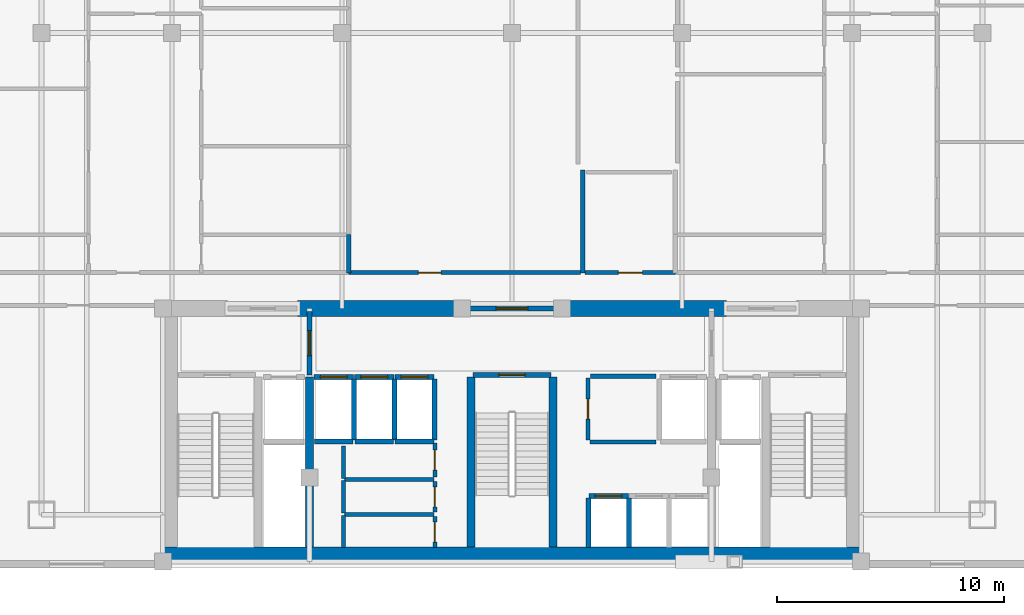
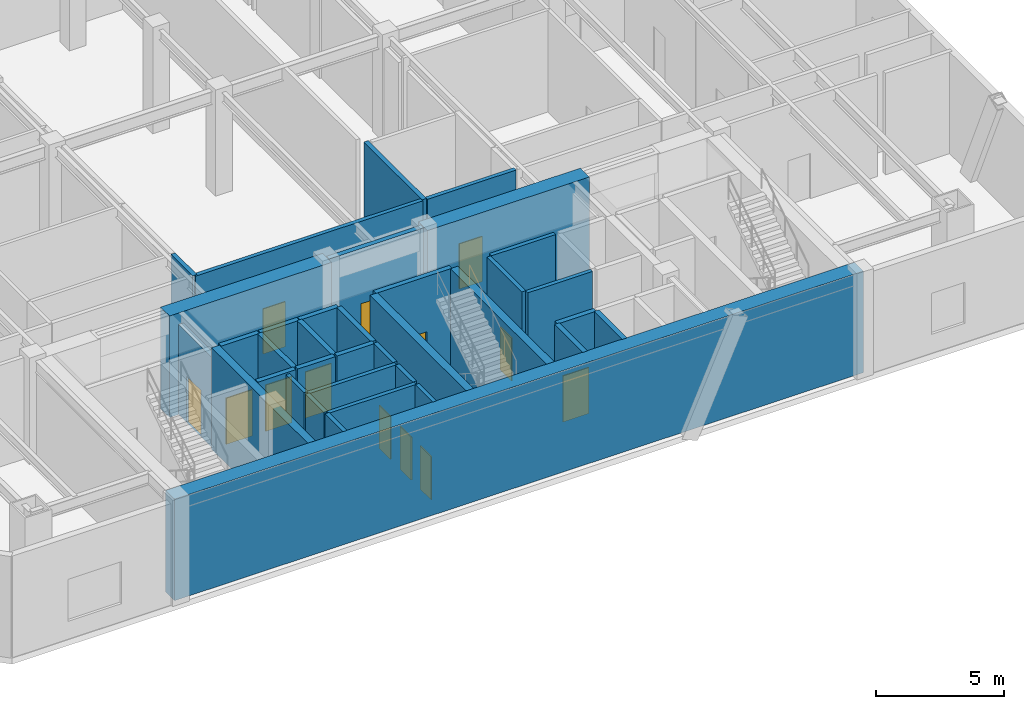
# One storey, part 6 of 11: 36 walls, 13 doors, 13 openings.
"""IFC4 building model written with IfcOpenShell, lengths in metres."""

from ifc_helpers import new_model, si_unit, direction, frame, frame_2d, origin, place, context, subcontext, project, spatial, rectangle, extrude, material, layer, layer_set, type_object, element, fill, save


model = new_model("IFC4")

# Units and contexts
model_context = context("Model", 3, precision=1e-05, world=origin(), true_north=direction((0.0, 1.0)))
body_context = subcontext(model_context, "Body", "Model", "MODEL_VIEW")
ifc_project = project(units=[si_unit("LENGTHUNIT", "METRE"), si_unit("AREAUNIT", "SQUARE_METRE"), si_unit("VOLUMEUNIT", "CUBIC_METRE"), si_unit("PLANEANGLEUNIT", "RADIAN"), si_unit("MASSUNIT", "GRAM", prefix="KILO")], contexts=[model_context])

# Site, building, storey
site_placement = place(None, origin())
site = spatial("IfcSite", under=ifc_project, at=site_placement, CompositionType="ELEMENT")
building_placement = place(site_placement, origin())
building = spatial("IfcBuilding", under=site, at=building_placement, Name="Ventersveld Concourse Tower", CompositionType="ELEMENT")
storey_placement = place(building_placement, frame((0.0, 0.0, 140.14990234375)))
storey = spatial("IfcBuildingStorey", under=building, at=storey_placement, Name="L34", CompositionType="ELEMENT", Elevation=140.14990234375)

# Walls
ifc_material_1 = material(Name="Concrete C60/75", Category="concrete")
ifc_layer_1 = layer(ifc_material_1, 0.35009765625)
ifc_layer_set_1 = layer_set([ifc_layer_1], Name="Concrete C60/75")
wall_type_1 = type_object("IfcWallType", Name="WL-CORE-350L", PredefinedType="SHEAR", material=ifc_layer_set_1)
for number, where, z_axis, x_axis, name in (
    (1, (19.820068359375, 0.919921875, 0.0), (0.0, 0.0, 1.0), (0.0, 1.0, 0.0), "L34 Core Internal Shear Web W-FF1-E"),
    (2, (26.93994140625, 0.919921875, 0.0), (0.0, 0.0, 1.0), (0.0, 1.0, 0.0), "L34 Core Internal Shear Web W-ST3-W"),
    (3, (30.56005859375, 0.919921875, 0.0), (0.0, 0.0, 1.0), (0.0, 1.0, 0.0), "L34 Core Internal Shear Web W-ST3-E"),
):
    element("IfcWall", number, at=place(storey_placement, frame(where, z_axis=z_axis, x_axis=x_axis)), inside=storey, type_object=wall_type_1, Name=name, PredefinedType="SHEAR", context=body_context, shape_type="SweptSolid", body=[
        extrude(rectangle(XDim=7.5, YDim=0.35009765625, at=frame_2d((3.75, 0.0))), origin(), (0.0, 0.0, 1.0), 4.830078125),
    ])
ifc_layer_2 = layer(ifc_material_1, 0.699951171875)
ifc_layer_set_2 = layer_set([ifc_layer_2], Name="Concrete C60/75")
wall_type_2 = type_object("IfcWallType", Name="WL-CORE-700", PredefinedType="SHEAR", material=ifc_layer_set_2)
wall_1_placement = place(storey_placement, frame((13.25, 0.570068359375, 0.0), z_axis=(0.0, 0.0, 1.0), x_axis=(1.0, 0.0, 0.0)))
element("IfcWall", 4, at=wall_1_placement, inside=storey, type_object=wall_type_2, Name="L34 Rear Core South Shear Wall", PredefinedType="SHEAR", context=body_context, shape_type="SweptSolid", body=[
    extrude(rectangle(XDim=31.0, YDim=0.699951171875, at=frame_2d((15.5, 0.0))), origin(), (0.0, 0.0, 1.0), 4.830078125),
])
for number, where, z_axis, x_axis, name in (
    (5, (19.300048828125, 11.449951171875, 0.0), (0.0, 0.0, 1.0), (1.0, 0.0, 0.0), "L34 Rear Core North Shear Wall NML"),
    (6, (30.89990234375, 11.449951171875, 0.0), (0.0, 0.0, 1.0), (1.0, 0.0, 0.0), "L34 Rear Core North Shear Wall NMR"),
):
    element("IfcWall", number, at=place(storey_placement, frame(where, z_axis=z_axis, x_axis=x_axis)), inside=storey, type_object=wall_type_2, Name=name, PredefinedType="SHEAR", context=body_context, shape_type="SweptSolid", body=[
        extrude(rectangle(XDim=7.300048828125, YDim=0.699951171875, at=frame_2d((3.64990234375, 0.0))), origin(), (0.0, 0.0, 1.0), 4.830078125),
    ])

# Wall, opening, door
ifc_material_2 = material(Name="Fire-rated autoclaved aerated masonry blockwork", Category="masonry")
ifc_layer_3 = layer(ifc_material_2, 0.179931640625)
ifc_layer_set_3 = layer_set([ifc_layer_3], Name="Fire-rated autoclaved aerated masonry blockwork")
wall_type_3 = type_object("IfcWallType", Name="WL-CORR-180", PredefinedType="PARTITIONING", material=ifc_layer_set_3)
wall_2_placement = place(storey_placement, frame((25.35009765625, 0.89990234375, 0.0), z_axis=(0.0, 0.0, 1.0), x_axis=(0.0, 1.0, 0.0)))
wall_2 = element("IfcWall", 7, at=wall_2_placement, inside=storey, type_object=wall_type_3, Name="L34 Core Passage Wall SP-L34-RECB1S", PredefinedType="PARTITIONING", context=body_context, shape_type="SweptSolid", body=[
    extrude(rectangle(XDim=1.3701171875, YDim=0.179931640625, at=frame_2d((0.68505859375, 0.0))), origin(), (0.0, 0.0, 1.0), 4.830078125),
])
opening_1_placement = place(wall_2_placement, frame((0.2451171875, 0.0, 0.0)))
opening_1 = element("IfcOpeningElement", 8, at=opening_1_placement, cuts=wall_2, Name="Opening FD5", PredefinedType="OPENING", context=body_context, shape_type="SweptSolid", body=[
    extrude(rectangle(XDim=0.8798828125, YDim=2.050048828125, at=frame_2d((0.43994140625, 1.02490234375))), frame((0.0, 0.10009765625, 0.0), z_axis=(0.0, -1.0, 0.0), x_axis=(1.0, 0.0, 0.0)), (0.0, 0.0, 1.0), 0.199951171875),
])
ifc_material_3 = material(Name="Galvanised painted steel", Category="steel")
door_type_1 = type_object("IfcDoorType", Name="DR-RISER-088", OperationType="NOTDEFINED", PredefinedType="DOOR", material=ifc_material_3)
door_1_placement = place(opening_1_placement, origin())
door_1 = element("IfcDoor", 9, at=door_1_placement, inside=storey, type_object=door_type_1, Name="L34 Core Room Door L34 Reclaimed Core Wine Cellar Store (CD-L34-1663)", OperationType="SINGLE_SWING_RIGHT", OverallHeight=2.050048828125, OverallWidth=0.8798828125, PredefinedType="DOOR", context=body_context, shape_type="SweptSolid", body=[
    extrude(rectangle(XDim=0.8798828125, YDim=2.050048828125, at=frame_2d((0.43994140625, 1.02490234375))), frame((0.0, 0.02490234375, 0.0), z_axis=(0.0, -1.0, 0.0), x_axis=(1.0, 0.0, 0.0)), (0.0, 0.0, 1.0), 0.050048828125),
])
fill(opening_1, door_1)

# Walls
wall_3_placement = place(storey_placement, frame((21.360107421875, 2.360107421875, 0.0), z_axis=(0.0, 0.0, 1.0), x_axis=(1.0, 0.0, 0.0)))
element("IfcWall", 10, at=wall_3_placement, inside=storey, type_object=wall_type_3, Name="L34 Core Top Wall SP-L34-RECB1S", PredefinedType="PARTITIONING", context=body_context, shape_type="SweptSolid", body=[
    extrude(rectangle(XDim=3.93994140625, YDim=0.179931640625, at=frame_2d((1.969970703125, 0.0))), origin(), (0.0, 0.0, 1.0), 4.830078125),
])
wall_4_placement = place(storey_placement, frame((21.320068359375, 0.909912109375, 0.0), z_axis=(0.0, 0.0, 1.0), x_axis=(0.0, 1.0, 0.0)))
element("IfcWall", 11, at=wall_4_placement, inside=storey, type_object=wall_type_3, Name="L34 Core West Wall SP-L34-RECB1S", PredefinedType="PARTITIONING", context=body_context, shape_type="SweptSolid", body=[
    extrude(rectangle(XDim=1.41015625, YDim=0.179931640625, at=frame_2d((0.705078125, 0.0))), origin(), (0.0, 0.0, 1.0), 4.830078125),
])

# Wall, opening, door
wall_5_placement = place(storey_placement, frame((25.35009765625, 2.469970703125, 0.0), z_axis=(0.0, 0.0, 1.0), x_axis=(0.0, 1.0, 0.0)))
wall_5 = element("IfcWall", 12, at=wall_5_placement, inside=storey, type_object=wall_type_3, Name="L34 Core Passage Wall SP-L34-RECB1M", PredefinedType="PARTITIONING", context=body_context, shape_type="SweptSolid", body=[
    extrude(rectangle(XDim=1.340087890625, YDim=0.179931640625, at=frame_2d((0.669921875, 0.0))), origin(), (0.0, 0.0, 1.0), 4.830078125),
])
opening_2_placement = place(wall_5_placement, frame((0.22998046875, 0.0, 0.0)))
opening_2 = element("IfcOpeningElement", 13, at=opening_2_placement, cuts=wall_5, Name="Opening FD5", PredefinedType="OPENING", context=body_context, shape_type="SweptSolid", body=[
    extrude(rectangle(XDim=0.8798828125, YDim=2.050048828125, at=frame_2d((0.43994140625, 1.02490234375))), frame((0.0, 0.10009765625, 0.0), z_axis=(0.0, -1.0, 0.0), x_axis=(1.0, 0.0, 0.0)), (0.0, 0.0, 1.0), 0.199951171875),
])
door_2_placement = place(opening_2_placement, origin())
door_2 = element("IfcDoor", 14, at=door_2_placement, inside=storey, type_object=door_type_1, Name="L34 Core Room Door L34 Reclaimed Core Archive Store (CD-L34-1664)", OperationType="SINGLE_SWING_LEFT", OverallHeight=2.050048828125, OverallWidth=0.8798828125, PredefinedType="DOOR", context=body_context, shape_type="SweptSolid", body=[
    extrude(rectangle(XDim=0.8798828125, YDim=2.050048828125, at=frame_2d((0.43994140625, 1.02490234375))), frame((0.0, 0.02490234375, 0.0), z_axis=(0.0, -1.0, 0.0), x_axis=(1.0, 0.0, 0.0)), (0.0, 0.0, 1.0), 0.050048828125),
])
fill(opening_2, door_2)

# Walls
wall_6_placement = place(storey_placement, frame((21.360107421875, 3.89990234375, 0.0), z_axis=(0.0, 0.0, 1.0), x_axis=(1.0, 0.0, 0.0)))
element("IfcWall", 15, at=wall_6_placement, inside=storey, type_object=wall_type_3, Name="L34 Core Top Wall SP-L34-RECB1M", PredefinedType="PARTITIONING", context=body_context, shape_type="SweptSolid", body=[
    extrude(rectangle(XDim=3.93994140625, YDim=0.179931640625, at=frame_2d((1.969970703125, 0.0))), origin(), (0.0, 0.0, 1.0), 4.830078125),
])
wall_7_placement = place(storey_placement, frame((21.320068359375, 2.419921875, 0.0), z_axis=(0.0, 0.0, 1.0), x_axis=(0.0, 1.0, 0.0)))
element("IfcWall", 16, at=wall_7_placement, inside=storey, type_object=wall_type_3, Name="L34 Core West Wall SP-L34-RECB1M", PredefinedType="PARTITIONING", context=body_context, shape_type="SweptSolid", body=[
    extrude(rectangle(XDim=1.440185546875, YDim=0.179931640625, at=frame_2d((0.72021484375, 0.0))), origin(), (0.0, 0.0, 1.0), 4.830078125),
])

# Wall, opening, door
wall_8_placement = place(storey_placement, frame((25.35009765625, 4.010009765625, 0.0), z_axis=(0.0, 0.0, 1.0), x_axis=(0.0, 1.0, 0.0)))
wall_8 = element("IfcWall", 17, at=wall_8_placement, inside=storey, type_object=wall_type_3, Name="L34 Core Passage Wall SP-L34-RECB1N", PredefinedType="PARTITIONING", context=body_context, shape_type="SweptSolid", body=[
    extrude(rectangle(XDim=1.510009765625, YDim=0.179931640625, at=frame_2d((0.7548828125, 0.0))), origin(), (0.0, 0.0, 1.0), 4.830078125),
])
opening_3_placement = place(wall_8_placement, frame((0.31494140625, 0.0, 0.0)))
opening_3 = element("IfcOpeningElement", 18, at=opening_3_placement, cuts=wall_8, Name="Opening FD5", PredefinedType="OPENING", context=body_context, shape_type="SweptSolid", body=[
    extrude(rectangle(XDim=0.8798828125, YDim=2.050048828125, at=frame_2d((0.43994140625, 1.02490234375))), frame((0.0, 0.10009765625, 0.0), z_axis=(0.0, -1.0, 0.0), x_axis=(1.0, 0.0, 0.0)), (0.0, 0.0, 1.0), 0.199951171875),
])
door_3_placement = place(opening_3_placement, origin())
door_3 = element("IfcDoor", 19, at=door_3_placement, inside=storey, type_object=door_type_1, Name="L34 Core Room Door L34 Reclaimed Core Pram and Cycle Store (CD-L34-1665)", OperationType="SINGLE_SWING_RIGHT", OverallHeight=2.050048828125, OverallWidth=0.8798828125, PredefinedType="DOOR", context=body_context, shape_type="SweptSolid", body=[
    extrude(rectangle(XDim=0.8798828125, YDim=2.050048828125, at=frame_2d((0.43994140625, 1.02490234375))), frame((0.0, 0.02490234375, 0.0), z_axis=(0.0, -1.0, 0.0), x_axis=(1.0, 0.0, 0.0)), (0.0, 0.0, 1.0), 0.050048828125),
])
fill(opening_3, door_3)

# Wall
wall_9_placement = place(storey_placement, frame((21.320068359375, 3.9599609375, 0.0), z_axis=(0.0, 0.0, 1.0), x_axis=(0.0, 1.0, 0.0)))
element("IfcWall", 20, at=wall_9_placement, inside=storey, type_object=wall_type_3, Name="L34 Core West Wall SP-L34-RECB1N", PredefinedType="PARTITIONING", context=body_context, shape_type="SweptSolid", body=[
    extrude(rectangle(XDim=1.419921875, YDim=0.179931640625, at=frame_2d((0.7099609375, 0.0))), origin(), (0.0, 0.0, 1.0), 4.830078125),
])

# Wall, opening, door
wall_10_placement = place(storey_placement, frame((32.10009765625, 5.64990234375, 0.0), z_axis=(0.0, 0.0, 1.0), x_axis=(0.0, 1.0, 0.0)))
wall_10 = element("IfcWall", 21, at=wall_10_placement, inside=storey, type_object=wall_type_3, Name="L34 Core Passage Wall SP-L34-CBAY1", PredefinedType="PARTITIONING", context=body_context, shape_type="SweptSolid", body=[
    extrude(rectangle(XDim=2.72998046875, YDim=0.179931640625, at=frame_2d((1.364990234375, 0.0))), origin(), (0.0, 0.0, 1.0), 4.830078125),
])
opening_4_placement = place(wall_10_placement, frame((0.925048828125, 0.0, 0.0)))
opening_4 = element("IfcOpeningElement", 22, at=opening_4_placement, cuts=wall_10, Name="Opening FD5", PredefinedType="OPENING", context=body_context, shape_type="SweptSolid", body=[
    extrude(rectangle(XDim=0.8798828125, YDim=2.050048828125, at=frame_2d((0.43994140625, 1.02490234375))), frame((0.0, 0.10009765625, 0.0), z_axis=(0.0, -1.0, 0.0), x_axis=(1.0, 0.0, 0.0)), (0.0, 0.0, 1.0), 0.199951171875),
])
door_4_placement = place(opening_4_placement, origin())
door_4 = element("IfcDoor", 23, at=door_4_placement, inside=storey, type_object=door_type_1, Name="L34 Core Room Door L34 Core Housekeeping Linen Store (CD-L34-1666)", OperationType="SINGLE_SWING_LEFT", OverallHeight=2.050048828125, OverallWidth=0.8798828125, PredefinedType="DOOR", context=body_context, shape_type="SweptSolid", body=[
    extrude(rectangle(XDim=0.8798828125, YDim=2.050048828125, at=frame_2d((0.43994140625, 1.02490234375))), frame((0.0, 0.02490234375, 0.0), z_axis=(0.0, -1.0, 0.0), x_axis=(1.0, 0.0, 0.0)), (0.0, 0.0, 1.0), 0.050048828125),
])
fill(opening_4, door_4)

# Walls
wall_11_placement = place(storey_placement, frame((32.219970703125, 8.4599609375, 0.0), z_axis=(0.0, 0.0, 1.0), x_axis=(1.0, 0.0, 0.0)))
element("IfcWall", 24, at=wall_11_placement, inside=storey, type_object=wall_type_3, Name="L34 Core Top Wall SP-L34-CBAY1", PredefinedType="PARTITIONING", context=body_context, shape_type="SweptSolid", body=[
    extrude(rectangle(XDim=2.880126953125, YDim=0.179931640625, at=frame_2d((1.43994140625, 0.0))), origin(), (0.0, 0.0, 1.0), 4.830078125),
])
wall_12_placement = place(storey_placement, frame((32.179931640625, 5.570068359375, 0.0), z_axis=(0.0, 0.0, 1.0), x_axis=(1.0, 0.0, 0.0)))
element("IfcWall", 25, at=wall_12_placement, inside=storey, type_object=wall_type_3, Name="L34 Core Bot Wall SP-L34-CBAY1", PredefinedType="PARTITIONING", context=body_context, shape_type="SweptSolid", body=[
    extrude(rectangle(XDim=2.920166015625, YDim=0.179931640625, at=frame_2d((1.4599609375, 0.0))), origin(), (0.0, 0.0, 1.0), 4.830078125),
])

# Wall, opening, door
wall_13_placement = place(storey_placement, frame((21.534912109375, 13.030029296875, 0.0), z_axis=(0.0, 0.0, 1.0), x_axis=(1.0, 0.0, 0.0)))
wall_13 = element("IfcWall", 26, at=wall_13_placement, inside=storey, type_object=wall_type_3, Name="L34 Interior Partition SP-L34-COR-SP-L34-SLOB", PredefinedType="PARTITIONING", context=body_context, shape_type="SweptSolid", body=[
    extrude(rectangle(XDim=10.22998046875, YDim=0.179931640625, at=frame_2d((5.114990234375, 0.0))), origin(), (0.0, 0.0, 1.0), 4.830078125),
])
opening_5_placement = place(wall_13_placement, frame((3.08056640625, 0.0, 0.0)))
opening_5 = element("IfcOpeningElement", 27, at=opening_5_placement, cuts=wall_13, Name="Opening FD3", PredefinedType="OPENING", context=body_context, shape_type="SweptSolid", body=[
    extrude(rectangle(XDim=1.0, YDim=2.14990234375, at=frame_2d((0.5, 1.074951171875))), frame((0.0, 0.10009765625, 0.0), z_axis=(0.0, -1.0, 0.0), x_axis=(1.0, 0.0, 0.0)), (0.0, 0.0, 1.0), 0.199951171875),
])
ifc_material_4 = material(Name="Solid-core hardwood veneer timber", Category="wood")
door_type_2 = type_object("IfcDoorType", Name="DR-FLAT-100", OperationType="NOTDEFINED", PredefinedType="DOOR", material=ifc_material_4)
door_5_placement = place(opening_5_placement, origin())
door_5 = element("IfcDoor", 28, at=door_5_placement, inside=storey, type_object=door_type_2, Name="L34 Interior Door SP-L34-COR to SP-L34-SLOB (D-L34-1669)", OperationType="SINGLE_SWING_LEFT", OverallHeight=2.14990234375, OverallWidth=1.0, PredefinedType="DOOR", context=body_context, shape_type="SweptSolid", body=[
    extrude(rectangle(XDim=1.0, YDim=2.14990234375, at=frame_2d((0.5, 1.074951171875))), frame((0.0, 0.02490234375, 0.0), z_axis=(0.0, -1.0, 0.0), x_axis=(1.0, 0.0, 0.0)), (0.0, 0.0, 1.0), 0.050048828125),
])
fill(opening_5, door_5)

wall_14_placement = place(storey_placement, frame((31.97509765625, 13.030029296875, 0.0), z_axis=(0.0, 0.0, 1.0), x_axis=(1.0, 0.0, 0.0)))
wall_14 = element("IfcWall", 29, at=wall_14_placement, inside=storey, type_object=wall_type_3, Name="L34 Interior Partition SP-L34-COR-SP-L34-SAWC", PredefinedType="PARTITIONING", context=body_context, shape_type="SweptSolid", body=[
    extrude(rectangle(XDim=3.989990234375, YDim=0.179931640625, at=frame_2d((1.9951171875, 0.0))), origin(), (0.0, 0.0, 1.0), 4.830078125),
])
opening_6_placement = place(wall_14_placement, frame((1.469970703125, 0.0, 0.0)))
opening_6 = element("IfcOpeningElement", 30, at=opening_6_placement, cuts=wall_14, Name="Opening ID3", PredefinedType="OPENING", context=body_context, shape_type="SweptSolid", body=[
    extrude(rectangle(XDim=1.050048828125, YDim=2.14990234375, at=frame_2d((0.52490234375, 1.074951171875))), frame((0.0, 0.10009765625, 0.0), z_axis=(0.0, -1.0, 0.0), x_axis=(1.0, 0.0, 0.0)), (0.0, 0.0, 1.0), 0.199951171875),
])
door_type_3 = type_object("IfcDoorType", Name="DR-AWC-105", OperationType="NOTDEFINED", PredefinedType="DOOR", material=ifc_material_4)
door_6_placement = place(opening_6_placement, origin())
door_6 = element("IfcDoor", 31, at=door_6_placement, inside=storey, type_object=door_type_3, Name="L34 Interior Door SP-L34-COR to SP-L34-SAWC (WD-L34-1670)", OperationType="SINGLE_SWING_RIGHT", OverallHeight=2.14990234375, OverallWidth=1.050048828125, PredefinedType="DOOR", context=body_context, shape_type="SweptSolid", body=[
    extrude(rectangle(XDim=1.050048828125, YDim=2.14990234375, at=frame_2d((0.52490234375, 1.074951171875))), frame((0.0, 0.02490234375, 0.0), z_axis=(0.0, -1.0, 0.0), x_axis=(1.0, 0.0, 0.0)), (0.0, 0.0, 1.0), 0.050048828125),
])
fill(opening_6, door_6)

# Walls
ifc_layer_4 = layer(ifc_material_2, 0.199951171875)
ifc_layer_set_4 = layer_set([ifc_layer_4], Name="Fire-rated autoclaved aerated masonry blockwork")
wall_type_4 = type_object("IfcWallType", Name="WL-DEMISE-200", PredefinedType="PARTITIONING", material=ifc_layer_set_4)
wall_15_placement = place(storey_placement, frame((31.8701171875, 13.014892578125, 0.0), z_axis=(0.0, 0.0, 1.0), x_axis=(0.0, 1.0, 0.0)))
element("IfcWall", 32, at=wall_15_placement, inside=storey, type_object=wall_type_4, Name="L34 Interior Partition SP-L34-SLOB-SP-L34-SAWC", PredefinedType="PARTITIONING", context=body_context, shape_type="SweptSolid", body=[
    extrude(rectangle(XDim=4.5400390625, YDim=0.199951171875, at=frame_2d((2.27001953125, 0.0))), origin(), (0.0, 0.0, 1.0), 4.830078125),
])
wall_16_placement = place(storey_placement, frame((21.5400390625, 13.014892578125, 0.0), z_axis=(0.0, 0.0, 1.0), x_axis=(0.0, 1.0, 0.0)))
element("IfcWall", 33, at=wall_16_placement, inside=storey, type_object=wall_type_4, Name="L34 Interior Partition SP-L34-SLOB-SP-L34-34CW-KIT", PredefinedType="PARTITIONING", context=body_context, shape_type="SweptSolid", body=[
    extrude(rectangle(XDim=1.690185546875, YDim=0.199951171875, at=frame_2d((0.84521484375, 0.0))), origin(), (0.0, 0.0, 1.0), 4.830078125),
])
ifc_layer_5 = layer(ifc_material_2, 0.219970703125)
ifc_layer_set_5 = layer_set([ifc_layer_5], Name="Fire-rated autoclaved aerated masonry blockwork")
wall_type_5 = type_object("IfcWallType", Name="WL-HOIST-220", PredefinedType="SOLIDWALL", material=ifc_layer_set_5)
for number, where, z_axis, x_axis, name in (
    (34, (32.1201171875, 0.89990234375, 0.0), (0.0, 0.0, 1.0), (0.0, 1.0, 0.0), "L34 Lift Hoistway Side Wall PM-01W"),
    (35, (33.89990234375, 0.89990234375, 0.0), (0.0, 0.0, 1.0), (0.0, 1.0, 0.0), "L34 Lift Hoistway Side Wall PM-01E"),
):
    element("IfcWall", number, at=place(storey_placement, frame(where, z_axis=z_axis, x_axis=x_axis)), inside=storey, type_object=wall_type_5, Name=name, PredefinedType="SOLIDWALL", context=body_context, shape_type="SweptSolid", body=[
        extrude(rectangle(XDim=2.2001953125, YDim=0.219970703125, at=frame_2d((1.10009765625, 0.0))), origin(), (0.0, 0.0, 1.0), 4.830078125),
    ])

# Wall, opening, door
wall_17_placement = place(storey_placement, frame((32.139892578125, 3.179931640625, 0.0), z_axis=(0.0, 0.0, 1.0), x_axis=(1.0, 0.0, 0.0)))
wall_17 = element("IfcWall", 36, at=wall_17_placement, inside=storey, type_object=wall_type_5, Name="L34 Lift Hoistway Front Wall PM-01", PredefinedType="SOLIDWALL", context=body_context, shape_type="SweptSolid", body=[
    extrude(rectangle(XDim=1.739990234375, YDim=0.219970703125, at=frame_2d((0.8701171875, 0.0))), origin(), (0.0, 0.0, 1.0), 4.830078125),
])
opening_7_placement = place(wall_17_placement, frame((0.280029296875, 0.0, 0.0)))
opening_7 = element("IfcOpeningElement", 37, at=opening_7_placement, cuts=wall_17, Name="Opening LD2", PredefinedType="OPENING", context=body_context, shape_type="SweptSolid", body=[
    extrude(rectangle(XDim=1.179931640625, YDim=2.199951171875, at=frame_2d((0.58984375, 1.10009765625))), frame((0.0, 0.1201171875, 0.0), z_axis=(0.0, -1.0, 0.0), x_axis=(1.0, 0.0, 0.0)), (0.0, 0.0, 1.0), 0.239990234375),
])
ifc_material_5 = material(Name="Brushed stainless steel 316", Category="steel")
door_type_4 = type_object("IfcDoorType", Name="LD-PAX-118", OperationType="SLIDING_TO_LEFT", PredefinedType="DOOR", material=ifc_material_5)
door_7_placement = place(opening_7_placement, origin())
door_7 = element("IfcDoor", 38, at=door_7_placement, inside=storey, type_object=door_type_4, Name="L34 Lift landing door PM-01 (LD-L34-PM-01)", OperationType="SLIDING_TO_LEFT", OverallHeight=2.199951171875, OverallWidth=1.179931640625, PredefinedType="DOOR", context=body_context, shape_type="SweptSolid", body=[
    extrude(rectangle(XDim=1.179931640625, YDim=2.199951171875, at=frame_2d((0.58984375, 1.10009765625))), frame((0.0, 0.02490234375, 0.0), z_axis=(0.0, -1.0, 0.0), x_axis=(1.0, 0.0, 0.0)), (0.0, 0.0, 1.0), 0.050048828125),
])
fill(opening_7, door_7)

# Walls
wall_18_placement = place(storey_placement, frame((20.0400390625, 5.590087890625, 0.0), z_axis=(0.0, 0.0, 1.0), x_axis=(1.0, 0.0, 0.0)))
element("IfcWall", 39, at=wall_18_placement, inside=storey, type_object=wall_type_5, Name="L34 Lift Hoistway Back Wall PH-01", PredefinedType="SOLIDWALL", context=body_context, shape_type="SweptSolid", body=[
    extrude(rectangle(XDim=1.699951171875, YDim=0.219970703125, at=frame_2d((0.85009765625, 0.0))), origin(), (0.0, 0.0, 1.0), 4.830078125),
])
wall_19_placement = place(storey_placement, frame((21.780029296875, 5.64990234375, 0.0), z_axis=(0.0, 0.0, 1.0), x_axis=(0.0, 1.0, 0.0)))
element("IfcWall", 40, at=wall_19_placement, inside=storey, type_object=wall_type_5, Name="L34 Lift Hoistway Side Wall PH-01E", PredefinedType="SOLIDWALL", context=body_context, shape_type="SweptSolid", body=[
    extrude(rectangle(XDim=2.7001953125, YDim=0.219970703125, at=frame_2d((1.35009765625, 0.0))), origin(), (0.0, 0.0, 1.0), 4.830078125),
])

# Wall, opening, door
wall_20_placement = place(storey_placement, frame((20.02001953125, 8.429931640625, 0.0), z_axis=(0.0, 0.0, 1.0), x_axis=(1.0, 0.0, 0.0)))
wall_20 = element("IfcWall", 41, at=wall_20_placement, inside=storey, type_object=wall_type_5, Name="L34 Lift Hoistway Front Wall PH-01", PredefinedType="SOLIDWALL", context=body_context, shape_type="SweptSolid", body=[
    extrude(rectangle(XDim=1.739990234375, YDim=0.219970703125, at=frame_2d((0.8701171875, 0.0))), origin(), (0.0, 0.0, 1.0), 4.830078125),
])
opening_8_placement = place(wall_20_placement, frame((0.280029296875, 0.0, 0.0)))
opening_8 = element("IfcOpeningElement", 42, at=opening_8_placement, cuts=wall_20, Name="Opening LD2", PredefinedType="OPENING", context=body_context, shape_type="SweptSolid", body=[
    extrude(rectangle(XDim=1.179931640625, YDim=2.199951171875, at=frame_2d((0.58984375, 1.10009765625))), frame((0.0, 0.1201171875, 0.0), z_axis=(0.0, -1.0, 0.0), x_axis=(1.0, 0.0, 0.0)), (0.0, 0.0, 1.0), 0.239990234375),
])
door_8_placement = place(opening_8_placement, origin())
door_8 = element("IfcDoor", 43, at=door_8_placement, inside=storey, type_object=door_type_4, Name="L34 Lift landing door PH-01 (LD-L34-PH-01)", OperationType="SLIDING_TO_RIGHT", OverallHeight=2.199951171875, OverallWidth=1.179931640625, PredefinedType="DOOR", context=body_context, shape_type="SweptSolid", body=[
    extrude(rectangle(XDim=1.179931640625, YDim=2.199951171875, at=frame_2d((0.58984375, 1.10009765625))), frame((0.0, 0.02490234375, 0.0), z_axis=(0.0, -1.0, 0.0), x_axis=(1.0, 0.0, 0.0)), (0.0, 0.0, 1.0), 0.050048828125),
])
fill(opening_8, door_8)

# Walls
wall_21_placement = place(storey_placement, frame((21.820068359375, 5.590087890625, 0.0), z_axis=(0.0, 0.0, 1.0), x_axis=(1.0, 0.0, 0.0)))
element("IfcWall", 44, at=wall_21_placement, inside=storey, type_object=wall_type_5, Name="L34 Lift Hoistway Back Wall PH-02", PredefinedType="SOLIDWALL", context=body_context, shape_type="SweptSolid", body=[
    extrude(rectangle(XDim=1.699951171875, YDim=0.219970703125, at=frame_2d((0.85009765625, 0.0))), origin(), (0.0, 0.0, 1.0), 4.830078125),
])
wall_22_placement = place(storey_placement, frame((23.56005859375, 5.64990234375, 0.0), z_axis=(0.0, 0.0, 1.0), x_axis=(0.0, 1.0, 0.0)))
element("IfcWall", 45, at=wall_22_placement, inside=storey, type_object=wall_type_5, Name="L34 Lift Hoistway Side Wall PH-02E", PredefinedType="SOLIDWALL", context=body_context, shape_type="SweptSolid", body=[
    extrude(rectangle(XDim=2.7001953125, YDim=0.219970703125, at=frame_2d((1.35009765625, 0.0))), origin(), (0.0, 0.0, 1.0), 4.830078125),
])

# Wall, opening, door
wall_23_placement = place(storey_placement, frame((21.800048828125, 8.429931640625, 0.0), z_axis=(0.0, 0.0, 1.0), x_axis=(1.0, 0.0, 0.0)))
wall_23 = element("IfcWall", 46, at=wall_23_placement, inside=storey, type_object=wall_type_5, Name="L34 Lift Hoistway Front Wall PH-02", PredefinedType="SOLIDWALL", context=body_context, shape_type="SweptSolid", body=[
    extrude(rectangle(XDim=1.739990234375, YDim=0.219970703125, at=frame_2d((0.8701171875, 0.0))), origin(), (0.0, 0.0, 1.0), 4.830078125),
])
opening_9_placement = place(wall_23_placement, frame((0.280029296875, 0.0, 0.0)))
opening_9 = element("IfcOpeningElement", 47, at=opening_9_placement, cuts=wall_23, Name="Opening LD2", PredefinedType="OPENING", context=body_context, shape_type="SweptSolid", body=[
    extrude(rectangle(XDim=1.179931640625, YDim=2.199951171875, at=frame_2d((0.58984375, 1.10009765625))), frame((0.0, 0.1201171875, 0.0), z_axis=(0.0, -1.0, 0.0), x_axis=(1.0, 0.0, 0.0)), (0.0, 0.0, 1.0), 0.239990234375),
])
door_9_placement = place(opening_9_placement, origin())
door_9 = element("IfcDoor", 48, at=door_9_placement, inside=storey, type_object=door_type_4, Name="L34 Lift landing door PH-02 (LD-L34-PH-02)", OperationType="SLIDING_TO_LEFT", OverallHeight=2.199951171875, OverallWidth=1.179931640625, PredefinedType="DOOR", context=body_context, shape_type="SweptSolid", body=[
    extrude(rectangle(XDim=1.179931640625, YDim=2.199951171875, at=frame_2d((0.58984375, 1.10009765625))), frame((0.0, 0.02490234375, 0.0), z_axis=(0.0, -1.0, 0.0), x_axis=(1.0, 0.0, 0.0)), (0.0, 0.0, 1.0), 0.050048828125),
])
fill(opening_9, door_9)

# Walls
wall_24_placement = place(storey_placement, frame((23.60009765625, 5.590087890625, 0.0), z_axis=(0.0, 0.0, 1.0), x_axis=(1.0, 0.0, 0.0)))
element("IfcWall", 49, at=wall_24_placement, inside=storey, type_object=wall_type_5, Name="L34 Lift Hoistway Back Wall PH-03", PredefinedType="SOLIDWALL", context=body_context, shape_type="SweptSolid", body=[
    extrude(rectangle(XDim=1.699951171875, YDim=0.219970703125, at=frame_2d((0.85009765625, 0.0))), origin(), (0.0, 0.0, 1.0), 4.830078125),
])
wall_25_placement = place(storey_placement, frame((25.340087890625, 5.64990234375, 0.0), z_axis=(0.0, 0.0, 1.0), x_axis=(0.0, 1.0, 0.0)))
element("IfcWall", 50, at=wall_25_placement, inside=storey, type_object=wall_type_5, Name="L34 Lift Hoistway Side Wall PH-03E", PredefinedType="SOLIDWALL", context=body_context, shape_type="SweptSolid", body=[
    extrude(rectangle(XDim=2.7001953125, YDim=0.219970703125, at=frame_2d((1.35009765625, 0.0))), origin(), (0.0, 0.0, 1.0), 4.830078125),
])

# Wall, opening, door
wall_26_placement = place(storey_placement, frame((23.580078125, 8.429931640625, 0.0), z_axis=(0.0, 0.0, 1.0), x_axis=(1.0, 0.0, 0.0)))
wall_26 = element("IfcWall", 51, at=wall_26_placement, inside=storey, type_object=wall_type_5, Name="L34 Lift Hoistway Front Wall PH-03", PredefinedType="SOLIDWALL", context=body_context, shape_type="SweptSolid", body=[
    extrude(rectangle(XDim=1.739990234375, YDim=0.219970703125, at=frame_2d((0.8701171875, 0.0))), origin(), (0.0, 0.0, 1.0), 4.830078125),
])
opening_10_placement = place(wall_26_placement, frame((0.280029296875, 0.0, 0.0)))
opening_10 = element("IfcOpeningElement", 52, at=opening_10_placement, cuts=wall_26, Name="Opening LD2", PredefinedType="OPENING", context=body_context, shape_type="SweptSolid", body=[
    extrude(rectangle(XDim=1.179931640625, YDim=2.199951171875, at=frame_2d((0.58984375, 1.10009765625))), frame((0.0, 0.1201171875, 0.0), z_axis=(0.0, -1.0, 0.0), x_axis=(1.0, 0.0, 0.0)), (0.0, 0.0, 1.0), 0.239990234375),
])
door_10_placement = place(opening_10_placement, origin())
door_10 = element("IfcDoor", 53, at=door_10_placement, inside=storey, type_object=door_type_4, Name="L34 Lift landing door PH-03 (LD-L34-PH-03)", OperationType="SLIDING_TO_RIGHT", OverallHeight=2.199951171875, OverallWidth=1.179931640625, PredefinedType="DOOR", context=body_context, shape_type="SweptSolid", body=[
    extrude(rectangle(XDim=1.179931640625, YDim=2.199951171875, at=frame_2d((0.58984375, 1.10009765625))), frame((0.0, 0.02490234375, 0.0), z_axis=(0.0, -1.0, 0.0), x_axis=(1.0, 0.0, 0.0)), (0.0, 0.0, 1.0), 0.050048828125),
])
fill(opening_10, door_10)

wall_27_placement = place(storey_placement, frame((27.0400390625, 8.52001953125, 0.0), z_axis=(0.0, 0.0, 1.0), x_axis=(1.0, 0.0, 0.0)))
wall_27 = element("IfcWall", 54, at=wall_27_placement, inside=storey, type_object=wall_type_5, Name="L34 Escape Stair ST03 Fire Wall", PredefinedType="SOLIDWALL", context=body_context, shape_type="SweptSolid", body=[
    extrude(rectangle(XDim=3.419921875, YDim=0.219970703125, at=frame_2d((1.7099609375, 0.0))), origin(), (0.0, 0.0, 1.0), 4.830078125),
])
opening_11_placement = place(wall_27_placement, frame((1.135009765625, 0.0, 0.0)))
opening_11 = element("IfcOpeningElement", 55, at=opening_11_placement, cuts=wall_27, Name="Opening FD1", PredefinedType="OPENING", context=body_context, shape_type="SweptSolid", body=[
    extrude(rectangle(XDim=1.14990234375, YDim=2.199951171875, at=frame_2d((0.574951171875, 1.10009765625))), frame((0.0, 0.1201171875, 0.0), z_axis=(0.0, -1.0, 0.0), x_axis=(1.0, 0.0, 0.0)), (0.0, 0.0, 1.0), 0.239990234375),
])
door_type_5 = type_object("IfcDoorType", Name="DR-STAIR-115", OperationType="NOTDEFINED", PredefinedType="DOOR", material=ifc_material_3)
door_11_placement = place(opening_11_placement, origin())
door_11 = element("IfcDoor", 56, at=door_11_placement, inside=storey, type_object=door_type_5, Name="L34 Escape Stair Door ST03 (SD-L34-1657)", OperationType="SINGLE_SWING_LEFT", OverallHeight=2.199951171875, OverallWidth=1.14990234375, PredefinedType="DOOR", context=body_context, shape_type="SweptSolid", body=[
    extrude(rectangle(XDim=1.14990234375, YDim=2.199951171875, at=frame_2d((0.574951171875, 1.10009765625))), frame((0.0, 0.02490234375, 0.0), z_axis=(0.0, -1.0, 0.0), x_axis=(1.0, 0.0, 0.0)), (0.0, 0.0, 1.0), 0.050048828125),
])
fill(opening_11, door_11)

wall_28_placement = place(storey_placement, frame((19.820068359375, 8.52001953125, 0.0), z_axis=(0.0, 0.0, 1.0), x_axis=(0.0, 1.0, 0.0)))
wall_28 = element("IfcWall", 57, at=wall_28_placement, inside=storey, type_object=wall_type_5, Name="L34 Firefighting Lobby Smoke-Stop Wall FFLW-SEP", PredefinedType="SOLIDWALL", context=body_context, shape_type="SweptSolid", body=[
    extrude(rectangle(XDim=2.800048828125, YDim=0.219970703125, at=frame_2d((1.39990234375, 0.0))), origin(), (0.0, 0.0, 1.0), 4.28564453125),
])
opening_12_placement = place(wall_28_placement, frame((0.85009765625, 0.0, 0.0)))
opening_12 = element("IfcOpeningElement", 58, at=opening_12_placement, cuts=wall_28, Name="Opening FD2", PredefinedType="OPENING", context=body_context, shape_type="SweptSolid", body=[
    extrude(rectangle(XDim=1.10009765625, YDim=2.199951171875, at=frame_2d((0.550048828125, 1.10009765625))), frame((0.0, 0.1201171875, 0.0), z_axis=(0.0, -1.0, 0.0), x_axis=(1.0, 0.0, 0.0)), (0.0, 0.0, 1.0), 0.239990234375),
])
door_type_6 = type_object("IfcDoorType", Name="DR-FFL-110", OperationType="NOTDEFINED", PredefinedType="DOOR", material=ifc_material_3)
door_12_placement = place(opening_12_placement, origin())
door_12 = element("IfcDoor", 59, at=door_12_placement, inside=storey, type_object=door_type_6, Name="L34 Firefighting Lobby Door FFLW-SEP (FD-L34-1658)", OperationType="SINGLE_SWING_LEFT", OverallHeight=2.199951171875, OverallWidth=1.10009765625, PredefinedType="DOOR", context=body_context, shape_type="SweptSolid", body=[
    extrude(rectangle(XDim=1.10009765625, YDim=2.199951171875, at=frame_2d((0.550048828125, 1.10009765625))), frame((0.0, 0.02490234375, 0.0), z_axis=(0.0, -1.0, 0.0), x_axis=(1.0, 0.0, 0.0)), (0.0, 0.0, 1.0), 0.050048828125),
])
fill(opening_12, door_12)

wall_29_placement = place(storey_placement, frame((26.6298828125, 11.449951171875, 0.0), z_axis=(0.0, 0.0, 1.0), x_axis=(1.0, 0.0, 0.0)))
wall_29 = element("IfcWall", 60, at=wall_29_placement, inside=storey, type_object=wall_type_5, Name="L34 Core North Fire Portal PLOB-OUT", PredefinedType="SOLIDWALL", context=body_context, shape_type="SweptSolid", body=[
    extrude(rectangle(XDim=4.240234375, YDim=0.219970703125, at=frame_2d((2.1201171875, 0.0))), origin(), (0.0, 0.0, 1.0), 4.830078125),
])
opening_13_placement = place(wall_29_placement, frame((1.419921875, 0.0, 0.0)))
opening_13 = element("IfcOpeningElement", 61, at=opening_13_placement, cuts=wall_29, Name="Opening FD4", PredefinedType="OPENING", context=body_context, shape_type="SweptSolid", body=[
    extrude(rectangle(XDim=1.39990234375, YDim=2.199951171875, at=frame_2d((0.699951171875, 1.10009765625))), frame((0.0, 0.1201171875, 0.0), z_axis=(0.0, -1.0, 0.0), x_axis=(1.0, 0.0, 0.0)), (0.0, 0.0, 1.0), 0.239990234375),
])
door_type_7 = type_object("IfcDoorType", Name="DR-PLANT-140", OperationType="DOUBLE_DOOR_SINGLE_SWING", PredefinedType="DOOR", material=ifc_material_3)
door_13_placement = place(opening_13_placement, origin())
door_13 = element("IfcDoor", 62, at=door_13_placement, inside=storey, type_object=door_type_7, Name="L34 Core Lobby Fire Door PLOB-OUT (FD-L34-1661)", OperationType="DOUBLE_DOOR_SINGLE_SWING", OverallHeight=2.199951171875, OverallWidth=1.39990234375, PredefinedType="DOOR", context=body_context, shape_type="SweptSolid", body=[
    extrude(rectangle(XDim=1.39990234375, YDim=2.199951171875, at=frame_2d((0.699951171875, 1.10009765625))), frame((0.0, 0.02490234375, 0.0), z_axis=(0.0, -1.0, 0.0), x_axis=(1.0, 0.0, 0.0)), (0.0, 0.0, 1.0), 0.050048828125),
])
fill(opening_13, door_13)

save(model, "model.ifc")
